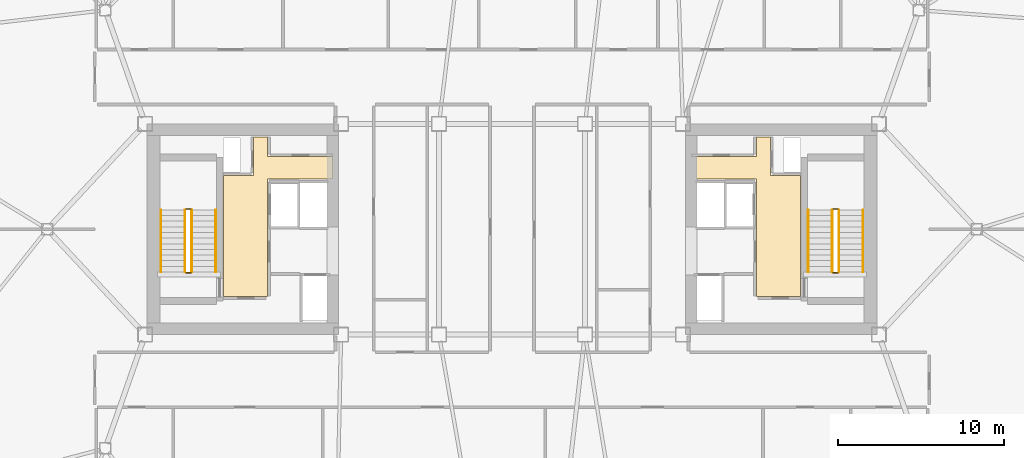
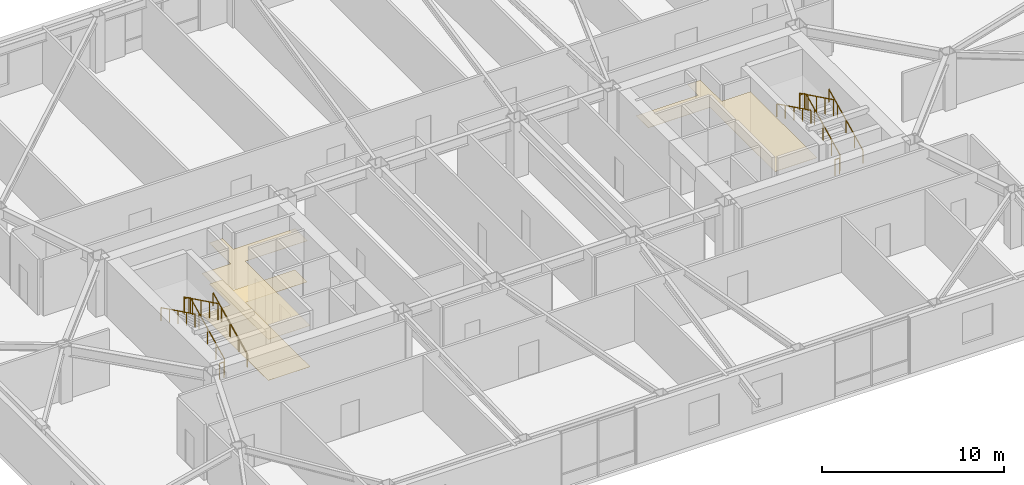
# One storey, part 18 of 18: 12 railings, 3 coverings.
"""IFC4 building model written with IfcOpenShell, lengths in metres."""

from ifc_helpers import new_model, si_unit, direction, frame, origin, origin_2d, place, context, subcontext, project, spatial, polyline, rectangle, outline, extrude, material, layer, layer_set, type_object, element, save


model = new_model("IFC4")

# Units and contexts
model_context = context("Model", 3, precision=1e-05, world=origin(), true_north=direction((0.0, 1.0)))
body_context = subcontext(model_context, "Body", "Model", "MODEL_VIEW")
ifc_project = project(units=[si_unit("LENGTHUNIT", "METRE"), si_unit("AREAUNIT", "SQUARE_METRE"), si_unit("VOLUMEUNIT", "CUBIC_METRE"), si_unit("PLANEANGLEUNIT", "RADIAN"), si_unit("MASSUNIT", "GRAM", prefix="KILO")], contexts=[model_context])

# Site, building, storey
site_placement = place(None, origin())
site = spatial("IfcSite", under=ifc_project, at=site_placement, CompositionType="ELEMENT")
building_placement = place(site_placement, origin())
building = spatial("IfcBuilding", under=site, at=building_placement, Name="Tavrogorsk Clinical Tower", CompositionType="ELEMENT")
storey_placement = place(building_placement, frame((0.0, 0.0, 184.199951171875)))
storey = spatial("IfcBuildingStorey", under=building, at=storey_placement, Name="L42", CompositionType="ELEMENT", Elevation=184.199951171875)

# Coverings
ifc_material_1 = material(Name="Antibacterial micro-perforated aluminium ceiling", Category="aluminium")
ifc_layer_1 = layer(ifc_material_1, 0.014892578125)
ifc_layer_set_1 = layer_set([ifc_layer_1], Name="Antibacterial micro-perforated aluminium ceiling")
covering_type_1 = type_object("IfcCoveringType", Name="ClinicalCeiling_15", PredefinedType="CEILING", material=ifc_layer_set_1)
covering_1_placement = place(storey_placement, frame((0.0, 0.0, 2.75)))
element("IfcCovering", 1, at=covering_1_placement, inside=storey, type_object=covering_type_1, Name="Core West Firefighting Lift Lobby Acoustic Ceiling", PredefinedType="CEILING", context=body_context, shape_type="SweptSolid", body=[
    extrude(outline(polyline([(-14.719970703125, 4.3798828125), (-10.800048828125, 4.3798828125), (-10.800048828125, 3.0400390625), (-14.719970703125, 3.0400390625), (-14.719970703125, -4.06005859375), (-17.3798828125, -4.06005859375), (-17.3798828125, 3.239990234375), (-15.56005859375, 3.239990234375), (-15.56005859375, 5.56005859375), (-14.719970703125, 5.56005859375), (-14.719970703125, 4.3798828125)])), origin(), (0.0, 0.0, 1.0), 0.01513671875),
])
covering_2_placement = place(storey_placement, frame((0.0, 0.0, 2.75)))
element("IfcCovering", 2, at=covering_2_placement, inside=storey, type_object=covering_type_1, Name="Core East Firefighting Lift Lobby Acoustic Ceiling", PredefinedType="CEILING", context=body_context, shape_type="SweptSolid", body=[
    extrude(outline(polyline([(14.719970703125, -4.06005859375), (14.719970703125, 3.0400390625), (10.800048828125, 3.0400390625), (10.800048828125, 4.3798828125), (14.719970703125, 4.3798828125), (14.719970703125, 5.56005859375), (15.56005859375, 5.56005859375), (15.56005859375, 3.239990234375), (17.3798828125, 3.239990234375), (17.3798828125, -4.06005859375), (14.719970703125, -4.06005859375)])), origin(), (0.0, 0.0, 1.0), 0.01513671875),
])
ifc_material_2 = material(Name="Homogeneous medical conductive PVC flooring")
ifc_layer_2 = layer(ifc_material_2, 0.008056640625)
ifc_layer_set_2 = layer_set([ifc_layer_2], Name="Homogeneous medical conductive PVC flooring")
covering_type_2 = type_object("IfcCoveringType", Name="ResilientVinylFloor_8", PredefinedType="FLOORING", material=ifc_layer_set_2)
covering_3_placement = place(storey_placement, origin())
element("IfcCovering", 3, at=covering_3_placement, inside=storey, type_object=covering_type_2, Name="Core West Firefighting Lift Lobby Conductive Vinyl Flooring", PredefinedType="FLOORING", context=body_context, shape_type="SweptSolid", body=[
    extrude(outline(polyline([(-14.719970703125, 4.3798828125), (-10.800048828125, 4.3798828125), (-10.800048828125, 3.0400390625), (-14.719970703125, 3.0400390625), (-14.719970703125, -4.06005859375), (-17.3798828125, -4.06005859375), (-17.3798828125, 3.239990234375), (-15.56005859375, 3.239990234375), (-15.56005859375, 5.56005859375), (-14.719970703125, 5.56005859375), (-14.719970703125, 4.3798828125)])), origin(), (0.0, 0.0, 1.0), 0.008056640625),
])

# Railings
ifc_material_3 = material(Name="Galvanised steel S355 safety stairwell guard", Category="steel")
ifc_layer_3 = layer(ifc_material_3, 0.06005859375)
ifc_layer_set_3 = layer_set([ifc_layer_3], Name="Galvanised steel S355 safety stairwell guard")
railing_type_1 = type_object("IfcRailingType", Name="StairGuard_1150", PredefinedType="GUARDRAIL", material=ifc_layer_set_3)
railing_1_placement = place(storey_placement, frame((-19.300048828125, -2.574951171875, 0.166748046875)))
element("IfcRailing", 4, at=railing_1_placement, inside=storey, type_object=railing_type_1, Name="L42 ST-W stair guard 1", PredefinedType="GUARDRAIL", context=body_context, shape_type="SweptSolid", body=[
    extrude(rectangle(XDim=0.048095703125, YDim=0.048095703125, at=origin_2d()), frame((0.0, 0.0, 1.076171875), z_axis=(0.0, 0.897927990467, 0.440142390523), x_axis=(-1.0, 0.0, 0.0)), (0.0, 0.0, 1.0), 4.1650390625),
    extrude(rectangle(XDim=0.0419921875, YDim=0.0419921875, at=origin_2d()), origin(), (0.0, 0.0, 1.0), 1.052001953125),
    extrude(rectangle(XDim=0.0419921875, YDim=0.0419921875, at=origin_2d()), frame((0.0, 0.93505859375, 0.458251953125)), (0.0, 0.0, 1.0), 1.052001953125),
    extrude(rectangle(XDim=0.0419921875, YDim=0.0419921875, at=origin_2d()), frame((0.0, 1.8701171875, 0.91650390625)), (0.0, 0.0, 1.0), 1.052001953125),
    extrude(rectangle(XDim=0.0419921875, YDim=0.0419921875, at=origin_2d()), frame((0.0, 2.804931640625, 1.375)), (0.0, 0.0, 1.0), 1.052001953125),
    extrude(rectangle(XDim=0.0419921875, YDim=0.0419921875, at=origin_2d()), frame((0.0, 3.739990234375, 1.833251953125)), (0.0, 0.0, 1.0), 1.052001953125),
])
railing_2_placement = place(storey_placement, frame((-19.35009765625, 1.215087890625, 2.0)))
element("IfcRailing", 5, at=railing_2_placement, inside=storey, type_object=railing_type_1, Name="L42 ST-W stair guard 2", PredefinedType="GUARDRAIL", context=body_context, shape_type="SweptSolid", body=[
    extrude(rectangle(XDim=0.048095703125, YDim=0.048095703125, at=origin_2d()), frame((0.0, 0.0, 1.076171875), z_axis=(-1.0, 0.0, 0.0), x_axis=(0.0, -1.0, 0.0)), (0.0, 0.0, 1.0), 0.2998046875),
    extrude(rectangle(XDim=0.0419921875, YDim=0.0419921875, at=origin_2d()), origin(), (0.0, 0.0, 1.0), 1.052001953125),
    extrude(rectangle(XDim=0.0419921875, YDim=0.0419921875, at=origin_2d()), frame((-0.2998046875, 0.0, 0.0)), (0.0, 0.0, 1.0), 1.052001953125),
])
railing_3_placement = place(storey_placement, frame((-19.699951171875, 1.1650390625, 2.166748046875)))
element("IfcRailing", 6, at=railing_3_placement, inside=storey, type_object=railing_type_1, Name="L42 ST-W stair guard 3", PredefinedType="GUARDRAIL", context=body_context, shape_type="SweptSolid", body=[
    extrude(rectangle(XDim=0.048095703125, YDim=0.048095703125, at=origin_2d()), frame((0.0, 0.0, 1.076171875), z_axis=(0.0, -0.897927990467, 0.440142390523), x_axis=(1.0, 0.0, 0.0)), (0.0, 0.0, 1.0), 4.1650390625),
    extrude(rectangle(XDim=0.0419921875, YDim=0.0419921875, at=origin_2d()), origin(), (0.0, 0.0, 1.0), 1.052001953125),
    extrude(rectangle(XDim=0.0419921875, YDim=0.0419921875, at=origin_2d()), frame((0.0, -0.93505859375, 0.458251953125)), (0.0, 0.0, 1.0), 1.052001953125),
    extrude(rectangle(XDim=0.0419921875, YDim=0.0419921875, at=origin_2d()), frame((0.0, -1.8701171875, 0.91650390625)), (0.0, 0.0, 1.0), 1.052001953125),
    extrude(rectangle(XDim=0.0419921875, YDim=0.0419921875, at=origin_2d()), frame((0.0, -2.804931640625, 1.375)), (0.0, 0.0, 1.0), 1.052001953125),
    extrude(rectangle(XDim=0.0419921875, YDim=0.0419921875, at=origin_2d()), frame((0.0, -3.739990234375, 1.833251953125)), (0.0, 0.0, 1.0), 1.052001953125),
])
railing_4_placement = place(storey_placement, frame((-19.35009765625, -2.625, 0.0)))
element("IfcRailing", 7, at=railing_4_placement, inside=storey, type_object=railing_type_1, Name="L42 ST-W stair guard 4", PredefinedType="GUARDRAIL", context=body_context, shape_type="SweptSolid", body=[
    extrude(rectangle(XDim=0.048095703125, YDim=0.048095703125, at=origin_2d()), frame((0.0, 0.0, 1.076171875), z_axis=(-1.0, 0.0, 0.0), x_axis=(0.0, -1.0, 0.0)), (0.0, 0.0, 1.0), 0.2998046875),
    extrude(rectangle(XDim=0.0419921875, YDim=0.0419921875, at=origin_2d()), origin(), (0.0, 0.0, 1.0), 1.052001953125),
    extrude(rectangle(XDim=0.0419921875, YDim=0.0419921875, at=origin_2d()), frame((-0.2998046875, 0.0, 0.0)), (0.0, 0.0, 1.0), 1.052001953125),
])
railing_5_placement = place(storey_placement, frame((19.699951171875, -2.574951171875, 0.166748046875)))
element("IfcRailing", 8, at=railing_5_placement, inside=storey, type_object=railing_type_1, Name="L42 ST-E stair guard 1", PredefinedType="GUARDRAIL", context=body_context, shape_type="SweptSolid", body=[
    extrude(rectangle(XDim=0.048095703125, YDim=0.048095703125, at=origin_2d()), frame((0.0, 0.0, 1.076171875), z_axis=(0.0, 0.897927990467, 0.440142390523), x_axis=(-1.0, 0.0, 0.0)), (0.0, 0.0, 1.0), 4.1650390625),
    extrude(rectangle(XDim=0.0419921875, YDim=0.0419921875, at=origin_2d()), origin(), (0.0, 0.0, 1.0), 1.052001953125),
    extrude(rectangle(XDim=0.0419921875, YDim=0.0419921875, at=origin_2d()), frame((0.0, 0.93505859375, 0.458251953125)), (0.0, 0.0, 1.0), 1.052001953125),
    extrude(rectangle(XDim=0.0419921875, YDim=0.0419921875, at=origin_2d()), frame((0.0, 1.8701171875, 0.91650390625)), (0.0, 0.0, 1.0), 1.052001953125),
    extrude(rectangle(XDim=0.0419921875, YDim=0.0419921875, at=origin_2d()), frame((0.0, 2.804931640625, 1.375)), (0.0, 0.0, 1.0), 1.052001953125),
    extrude(rectangle(XDim=0.0419921875, YDim=0.0419921875, at=origin_2d()), frame((0.0, 3.739990234375, 1.833251953125)), (0.0, 0.0, 1.0), 1.052001953125),
])
railing_6_placement = place(storey_placement, frame((19.64990234375, 1.215087890625, 2.0)))
element("IfcRailing", 9, at=railing_6_placement, inside=storey, type_object=railing_type_1, Name="L42 ST-E stair guard 2", PredefinedType="GUARDRAIL", context=body_context, shape_type="SweptSolid", body=[
    extrude(rectangle(XDim=0.048095703125, YDim=0.048095703125, at=origin_2d()), frame((0.0, 0.0, 1.076171875), z_axis=(-1.0, 0.0, 0.0), x_axis=(0.0, -1.0, 0.0)), (0.0, 0.0, 1.0), 0.2998046875),
    extrude(rectangle(XDim=0.0419921875, YDim=0.0419921875, at=origin_2d()), origin(), (0.0, 0.0, 1.0), 1.052001953125),
    extrude(rectangle(XDim=0.0419921875, YDim=0.0419921875, at=origin_2d()), frame((-0.2998046875, 0.0, 0.0)), (0.0, 0.0, 1.0), 1.052001953125),
])
railing_7_placement = place(storey_placement, frame((19.300048828125, 1.1650390625, 2.166748046875)))
element("IfcRailing", 10, at=railing_7_placement, inside=storey, type_object=railing_type_1, Name="L42 ST-E stair guard 3", PredefinedType="GUARDRAIL", context=body_context, shape_type="SweptSolid", body=[
    extrude(rectangle(XDim=0.048095703125, YDim=0.048095703125, at=origin_2d()), frame((0.0, 0.0, 1.076171875), z_axis=(0.0, -0.897927990467, 0.440142390523), x_axis=(1.0, 0.0, 0.0)), (0.0, 0.0, 1.0), 4.1650390625),
    extrude(rectangle(XDim=0.0419921875, YDim=0.0419921875, at=origin_2d()), origin(), (0.0, 0.0, 1.0), 1.052001953125),
    extrude(rectangle(XDim=0.0419921875, YDim=0.0419921875, at=origin_2d()), frame((0.0, -0.93505859375, 0.458251953125)), (0.0, 0.0, 1.0), 1.052001953125),
    extrude(rectangle(XDim=0.0419921875, YDim=0.0419921875, at=origin_2d()), frame((0.0, -1.8701171875, 0.91650390625)), (0.0, 0.0, 1.0), 1.052001953125),
    extrude(rectangle(XDim=0.0419921875, YDim=0.0419921875, at=origin_2d()), frame((0.0, -2.804931640625, 1.375)), (0.0, 0.0, 1.0), 1.052001953125),
    extrude(rectangle(XDim=0.0419921875, YDim=0.0419921875, at=origin_2d()), frame((0.0, -3.739990234375, 1.833251953125)), (0.0, 0.0, 1.0), 1.052001953125),
])
railing_8_placement = place(storey_placement, frame((19.64990234375, -2.625, 0.0)))
element("IfcRailing", 11, at=railing_8_placement, inside=storey, type_object=railing_type_1, Name="L42 ST-E stair guard 4", PredefinedType="GUARDRAIL", context=body_context, shape_type="SweptSolid", body=[
    extrude(rectangle(XDim=0.048095703125, YDim=0.048095703125, at=origin_2d()), frame((0.0, 0.0, 1.076171875), z_axis=(-1.0, 0.0, 0.0), x_axis=(0.0, -1.0, 0.0)), (0.0, 0.0, 1.0), 0.2998046875),
    extrude(rectangle(XDim=0.0419921875, YDim=0.0419921875, at=origin_2d()), origin(), (0.0, 0.0, 1.0), 1.052001953125),
    extrude(rectangle(XDim=0.0419921875, YDim=0.0419921875, at=origin_2d()), frame((-0.2998046875, 0.0, 0.0)), (0.0, 0.0, 1.0), 1.052001953125),
])
ifc_material_4 = material(Name="Stainless steel AISI 304 tubular handrail", Category="steel")
ifc_layer_4 = layer(ifc_material_4, 0.050048828125)
ifc_layer_set_4 = layer_set([ifc_layer_4], Name="Stainless steel AISI 304 tubular handrail")
railing_type_2 = type_object("IfcRailingType", Name="StairHandrail_920", PredefinedType="HANDRAIL", material=ifc_layer_set_4)
railing_9_placement = place(storey_placement, frame((-17.85009765625, -2.574951171875, 0.166748046875)))
element("IfcRailing", 12, at=railing_9_placement, inside=storey, type_object=railing_type_2, Name="L42 ST-W stair handrail 1", PredefinedType="HANDRAIL", context=body_context, shape_type="SweptSolid", body=[
    extrude(rectangle(XDim=0.048095703125, YDim=0.048095703125, at=origin_2d()), frame((0.0, 0.0, 0.8759765625), z_axis=(0.0, 0.897927990467, 0.440142390523), x_axis=(-1.0, 0.0, 0.0)), (0.0, 0.0, 1.0), 4.1650390625),
    extrude(rectangle(XDim=0.0419921875, YDim=0.0419921875, at=origin_2d()), origin(), (0.0, 0.0, 1.0), 0.851806640625),
    extrude(rectangle(XDim=0.0419921875, YDim=0.0419921875, at=origin_2d()), frame((0.0, 0.93505859375, 0.458251953125)), (0.0, 0.0, 1.0), 0.851806640625),
    extrude(rectangle(XDim=0.0419921875, YDim=0.0419921875, at=origin_2d()), frame((0.0, 1.8701171875, 0.91650390625)), (0.0, 0.0, 1.0), 0.851806640625),
    extrude(rectangle(XDim=0.0419921875, YDim=0.0419921875, at=origin_2d()), frame((0.0, 2.804931640625, 1.375)), (0.0, 0.0, 1.0), 0.851806640625),
    extrude(rectangle(XDim=0.0419921875, YDim=0.0419921875, at=origin_2d()), frame((0.0, 3.739990234375, 1.833251953125)), (0.0, 0.0, 1.0), 0.851806640625),
])
railing_10_placement = place(storey_placement, frame((-21.14990234375, 1.1650390625, 2.166748046875)))
element("IfcRailing", 13, at=railing_10_placement, inside=storey, type_object=railing_type_2, Name="L42 ST-W stair handrail 2", PredefinedType="HANDRAIL", context=body_context, shape_type="SweptSolid", body=[
    extrude(rectangle(XDim=0.048095703125, YDim=0.048095703125, at=origin_2d()), frame((0.0, 0.0, 0.8759765625), z_axis=(0.0, -0.897927990467, 0.440142390523), x_axis=(1.0, 0.0, 0.0)), (0.0, 0.0, 1.0), 4.1650390625),
    extrude(rectangle(XDim=0.0419921875, YDim=0.0419921875, at=origin_2d()), origin(), (0.0, 0.0, 1.0), 0.851806640625),
    extrude(rectangle(XDim=0.0419921875, YDim=0.0419921875, at=origin_2d()), frame((0.0, -0.93505859375, 0.458251953125)), (0.0, 0.0, 1.0), 0.851806640625),
    extrude(rectangle(XDim=0.0419921875, YDim=0.0419921875, at=origin_2d()), frame((0.0, -1.8701171875, 0.91650390625)), (0.0, 0.0, 1.0), 0.851806640625),
    extrude(rectangle(XDim=0.0419921875, YDim=0.0419921875, at=origin_2d()), frame((0.0, -2.804931640625, 1.375)), (0.0, 0.0, 1.0), 0.851806640625),
    extrude(rectangle(XDim=0.0419921875, YDim=0.0419921875, at=origin_2d()), frame((0.0, -3.739990234375, 1.833251953125)), (0.0, 0.0, 1.0), 0.851806640625),
])
railing_11_placement = place(storey_placement, frame((21.14990234375, -2.574951171875, 0.166748046875)))
element("IfcRailing", 14, at=railing_11_placement, inside=storey, type_object=railing_type_2, Name="L42 ST-E stair handrail 1", PredefinedType="HANDRAIL", context=body_context, shape_type="SweptSolid", body=[
    extrude(rectangle(XDim=0.048095703125, YDim=0.048095703125, at=origin_2d()), frame((0.0, 0.0, 0.8759765625), z_axis=(0.0, 0.897927990467, 0.440142390523), x_axis=(-1.0, 0.0, 0.0)), (0.0, 0.0, 1.0), 4.1650390625),
    extrude(rectangle(XDim=0.0419921875, YDim=0.0419921875, at=origin_2d()), origin(), (0.0, 0.0, 1.0), 0.851806640625),
    extrude(rectangle(XDim=0.0419921875, YDim=0.0419921875, at=origin_2d()), frame((0.0, 0.93505859375, 0.458251953125)), (0.0, 0.0, 1.0), 0.851806640625),
    extrude(rectangle(XDim=0.0419921875, YDim=0.0419921875, at=origin_2d()), frame((0.0, 1.8701171875, 0.91650390625)), (0.0, 0.0, 1.0), 0.851806640625),
    extrude(rectangle(XDim=0.0419921875, YDim=0.0419921875, at=origin_2d()), frame((0.0, 2.804931640625, 1.375)), (0.0, 0.0, 1.0), 0.851806640625),
    extrude(rectangle(XDim=0.0419921875, YDim=0.0419921875, at=origin_2d()), frame((0.0, 3.739990234375, 1.833251953125)), (0.0, 0.0, 1.0), 0.851806640625),
])
railing_12_placement = place(storey_placement, frame((17.85009765625, 1.1650390625, 2.166748046875)))
element("IfcRailing", 15, at=railing_12_placement, inside=storey, type_object=railing_type_2, Name="L42 ST-E stair handrail 2", PredefinedType="HANDRAIL", context=body_context, shape_type="SweptSolid", body=[
    extrude(rectangle(XDim=0.048095703125, YDim=0.048095703125, at=origin_2d()), frame((0.0, 0.0, 0.8759765625), z_axis=(0.0, -0.897927990467, 0.440142390523), x_axis=(1.0, 0.0, 0.0)), (0.0, 0.0, 1.0), 4.1650390625),
    extrude(rectangle(XDim=0.0419921875, YDim=0.0419921875, at=origin_2d()), origin(), (0.0, 0.0, 1.0), 0.851806640625),
    extrude(rectangle(XDim=0.0419921875, YDim=0.0419921875, at=origin_2d()), frame((0.0, -0.93505859375, 0.458251953125)), (0.0, 0.0, 1.0), 0.851806640625),
    extrude(rectangle(XDim=0.0419921875, YDim=0.0419921875, at=origin_2d()), frame((0.0, -1.8701171875, 0.91650390625)), (0.0, 0.0, 1.0), 0.851806640625),
    extrude(rectangle(XDim=0.0419921875, YDim=0.0419921875, at=origin_2d()), frame((0.0, -2.804931640625, 1.375)), (0.0, 0.0, 1.0), 0.851806640625),
    extrude(rectangle(XDim=0.0419921875, YDim=0.0419921875, at=origin_2d()), frame((0.0, -3.739990234375, 1.833251953125)), (0.0, 0.0, 1.0), 0.851806640625),
])

save(model, "model.ifc")
